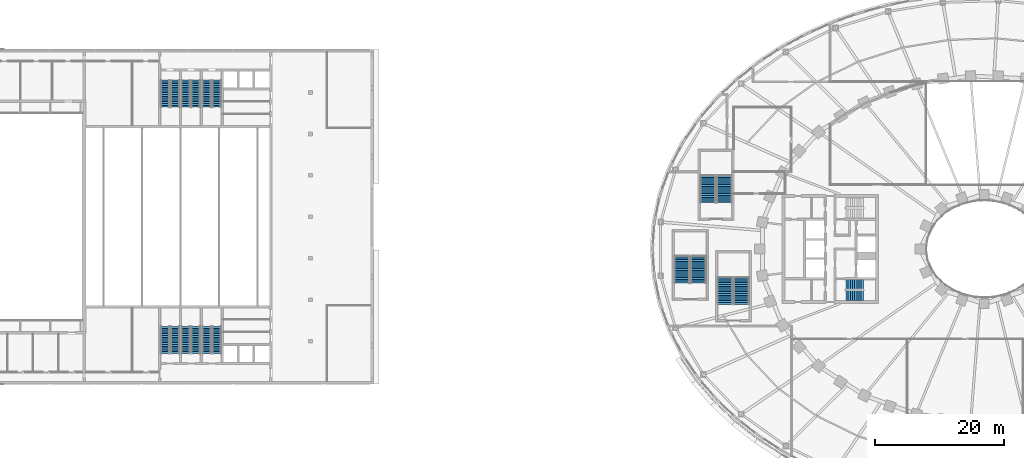
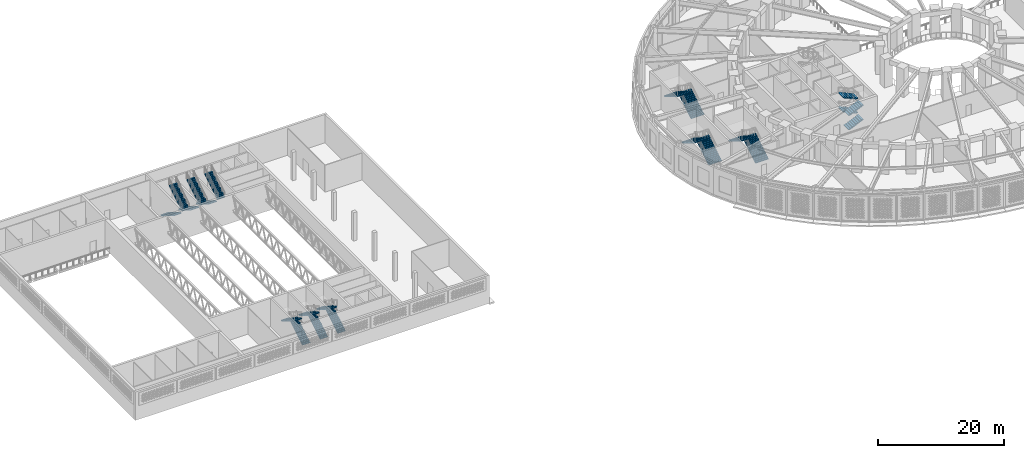
# One storey, part 22 of 69: 22 stair flights, 10 elements without a shape of their own.
"""IFC4 building model written with IfcOpenShell, lengths in metres."""

from ifc_helpers import new_model, si_unit, direction, frame, origin, place, context, subcontext, project, spatial, polyline, outline, extrude, material, type_object, element, aggregate, save


model = new_model("IFC4")

# Units and contexts
model_context = context("Model", 3, precision=1e-05, world=origin(), true_north=direction((0.0, 1.0)))
body_context = subcontext(model_context, "Body", "Model", "MODEL_VIEW")
ifc_project = project(units=[si_unit("LENGTHUNIT", "METRE"), si_unit("AREAUNIT", "SQUARE_METRE"), si_unit("VOLUMEUNIT", "CUBIC_METRE"), si_unit("PLANEANGLEUNIT", "RADIAN"), si_unit("MASSUNIT", "GRAM", prefix="KILO")], contexts=[model_context])

# Site, building, storey
site_placement = place(None, origin())
site = spatial("IfcSite", under=ifc_project, at=site_placement, CompositionType="ELEMENT")
building_placement = place(site_placement, origin())
building = spatial("IfcBuilding", under=site, at=building_placement, Name="Noorbagh Ring Tower", CompositionType="ELEMENT")
storey_placement = place(building_placement, frame((0.0, 0.0, 19.5)))
storey = spatial("IfcBuildingStorey", under=building, at=storey_placement, Name="L03", CompositionType="ELEMENT", Elevation=19.5)

# Stair, stair flights
ifc_material_1 = material(Name="Concrete C40/50", Category="concrete")
stair_type_1 = type_object("IfcStairType", Name="CORE-STAIR", PredefinedType="HALF_TURN_STAIR", material=ifc_material_1)
stair_1_placement = place(storey_placement, origin())
stair_1 = element("IfcStair", 1, at=stair_1_placement, inside=storey, type_object=stair_type_1, Name="L03 Exit stair ST2", PredefinedType="HALF_TURN_STAIR")
ifc_material_2 = material(Name="Concrete C40/50", Category="concrete")
stair_flight_type_1 = type_object("IfcStairFlightType", Name="CORE-STAIR-FLIGHT", PredefinedType="STRAIGHT", material=ifc_material_2)
stair_flight_1_placement = place(storey_placement, frame((-21.530029296875, -7.22509765625, 0.0), z_axis=(0.0, 0.0, 1.0), x_axis=(1.0, 0.0, 0.0)))
stair_flight_1 = element("IfcStairFlight", 2, at=stair_flight_1_placement, type_object=stair_flight_type_1, Name="ST2 flight 1", NumberOfRisers=9, NumberOfTreads=8, PredefinedType="STRAIGHT", RiserHeight=0.152777778, TreadLength=0.34, context=body_context, shape_type="SweptSolid", body=[
    extrude(outline(polyline([(0.0, 0.0), (0.0, 0.15283203125), (0.340087890625, 0.15283203125), (0.340087890625, 0.3056640625), (0.679931640625, 0.3056640625), (0.679931640625, 0.458251953125), (1.02001953125, 0.458251953125), (1.02001953125, 0.611083984375), (1.360107421875, 0.611083984375), (1.360107421875, 0.763916015625), (1.699951171875, 0.763916015625), (1.699951171875, 0.916748046875), (2.0400390625, 0.916748046875), (2.0400390625, 1.0693359375), (2.3798828125, 1.0693359375), (2.3798828125, 1.22216796875), (2.719970703125, 1.22216796875), (2.719970703125, 1.375), (2.719970703125, 1.057861328125), (0.36572265625, 0.0), (0.0, 0.0)])), frame((0.0, 0.77490234375, 0.0), z_axis=(0.0, -1.0, 0.0), x_axis=(1.0, 0.0, 0.0)), (0.0, 0.0, 1.0), 1.550048828125),
])
stair_flight_2_placement = place(storey_placement, frame((-18.81005859375, -5.52490234375, 1.375), z_axis=(0.0, 0.0, 1.0), x_axis=(-1.0, 0.0, 0.0)))
stair_flight_2 = element("IfcStairFlight", 3, at=stair_flight_2_placement, type_object=stair_flight_type_1, Name="ST2 flight 2", NumberOfRisers=9, NumberOfTreads=8, PredefinedType="STRAIGHT", RiserHeight=0.152777778, TreadLength=0.34, context=body_context, shape_type="SweptSolid", body=[
    extrude(outline(polyline([(0.0, 0.0), (0.0, 0.15283203125), (0.340087890625, 0.15283203125), (0.340087890625, 0.3056640625), (0.679931640625, 0.3056640625), (0.679931640625, 0.458251953125), (1.02001953125, 0.458251953125), (1.02001953125, 0.611083984375), (1.360107421875, 0.611083984375), (1.360107421875, 0.763916015625), (1.699951171875, 0.763916015625), (1.699951171875, 0.916748046875), (2.0400390625, 0.916748046875), (2.0400390625, 1.0693359375), (2.3798828125, 1.0693359375), (2.3798828125, 1.22216796875), (2.719970703125, 1.22216796875), (2.719970703125, 1.375), (2.719970703125, 1.057861328125), (0.36572265625, 0.0), (0.0, 0.0)])), frame((0.0, 0.77490234375, 0.0), z_axis=(0.0, -1.0, 0.0), x_axis=(1.0, 0.0, 0.0)), (0.0, 0.0, 1.0), 1.550048828125),
])
stair_flight_3_placement = place(storey_placement, frame((-21.530029296875, -7.22509765625, 2.75), z_axis=(0.0, 0.0, 1.0), x_axis=(1.0, 0.0, 0.0)))
stair_flight_3 = element("IfcStairFlight", 4, at=stair_flight_3_placement, type_object=stair_flight_type_1, Name="ST2 flight 3", NumberOfRisers=9, NumberOfTreads=8, PredefinedType="STRAIGHT", RiserHeight=0.152777778, TreadLength=0.34, context=body_context, shape_type="SweptSolid", body=[
    extrude(outline(polyline([(0.0, 0.0), (0.0, 0.15283203125), (0.340087890625, 0.15283203125), (0.340087890625, 0.3056640625), (0.679931640625, 0.3056640625), (0.679931640625, 0.458251953125), (1.02001953125, 0.458251953125), (1.02001953125, 0.611083984375), (1.360107421875, 0.611083984375), (1.360107421875, 0.763916015625), (1.699951171875, 0.763916015625), (1.699951171875, 0.916748046875), (2.0400390625, 0.916748046875), (2.0400390625, 1.0693359375), (2.3798828125, 1.0693359375), (2.3798828125, 1.22216796875), (2.719970703125, 1.22216796875), (2.719970703125, 1.375), (2.719970703125, 1.057861328125), (0.36572265625, 0.0), (0.0, 0.0)])), frame((0.0, 0.77490234375, 0.0), z_axis=(0.0, -1.0, 0.0), x_axis=(1.0, 0.0, 0.0)), (0.0, 0.0, 1.0), 1.550048828125),
])
stair_flight_4_placement = place(storey_placement, frame((-18.81005859375, -5.52490234375, 4.125), z_axis=(0.0, 0.0, 1.0), x_axis=(-1.0, 0.0, 0.0)))
stair_flight_4 = element("IfcStairFlight", 5, at=stair_flight_4_placement, type_object=stair_flight_type_1, Name="ST2 flight 4", NumberOfRisers=9, NumberOfTreads=8, PredefinedType="STRAIGHT", RiserHeight=0.152777778, TreadLength=0.34, context=body_context, shape_type="SweptSolid", body=[
    extrude(outline(polyline([(0.0, 0.0), (0.0, 0.15283203125), (0.340087890625, 0.15283203125), (0.340087890625, 0.3056640625), (0.679931640625, 0.3056640625), (0.679931640625, 0.458251953125), (1.02001953125, 0.458251953125), (1.02001953125, 0.611083984375), (1.360107421875, 0.611083984375), (1.360107421875, 0.763916015625), (1.699951171875, 0.763916015625), (1.699951171875, 0.916748046875), (2.0400390625, 0.916748046875), (2.0400390625, 1.0693359375), (2.3798828125, 1.0693359375), (2.3798828125, 1.22216796875), (2.719970703125, 1.22216796875), (2.719970703125, 1.375), (2.719970703125, 1.057861328125), (0.36572265625, 0.0), (0.0, 0.0)])), frame((0.0, 0.77490234375, 0.0), z_axis=(0.0, -1.0, 0.0), x_axis=(1.0, 0.0, 0.0)), (0.0, 0.0, 1.0), 1.550048828125),
])
aggregate(stair_1, [stair_flight_1, stair_flight_2, stair_flight_3, stair_flight_4])

ifc_material_3 = material(Name="Concrete C40/50", Category="concrete")
stair_type_2 = type_object("IfcStairType", Name="GND-STAIR", PredefinedType="HALF_TURN_STAIR", material=ifc_material_3)
stair_2_placement = place(storey_placement, origin())
stair_2 = element("IfcStair", 6, at=stair_2_placement, inside=storey, type_object=stair_type_2, Name="L03 exit stair ST-P1", PredefinedType="HALF_TURN_STAIR")
ifc_material_4 = material(Name="Concrete C40/50", Category="concrete")
stair_flight_type_2 = type_object("IfcStairFlightType", Name="GND-STAIR-FLIGHT", PredefinedType="STRAIGHT", material=ifc_material_4)
stair_flight_5_placement = place(storey_placement, frame((-37.75, -8.60009765625, 0.0), z_axis=(0.0, 0.0, 1.0), x_axis=(0.0, 1.0, 0.0)))
stair_flight_5 = element("IfcStairFlight", 7, at=stair_flight_5_placement, type_object=stair_flight_type_2, Name="ST-P1 flight 1", NumberOfRisers=16, NumberOfTreads=15, PredefinedType="STRAIGHT", RiserHeight=0.171875, TreadLength=0.28, context=body_context, shape_type="SweptSolid", body=[
    extrude(outline(polyline([(0.0, 0.0), (0.0, 0.171875), (0.280029296875, 0.171875), (0.280029296875, 0.34375), (0.56005859375, 0.34375), (0.56005859375, 0.515625), (0.840087890625, 0.515625), (0.840087890625, 0.6875), (1.1201171875, 0.6875), (1.1201171875, 0.859375), (1.39990234375, 0.859375), (1.39990234375, 1.03125), (1.679931640625, 1.03125), (1.679931640625, 1.203125), (1.9599609375, 1.203125), (1.9599609375, 1.375), (2.239990234375, 1.375), (2.239990234375, 1.546875), (2.52001953125, 1.546875), (2.52001953125, 1.71875), (2.800048828125, 1.71875), (2.800048828125, 1.890625), (3.080078125, 1.890625), (3.080078125, 2.0625), (3.360107421875, 2.0625), (3.360107421875, 2.234375), (3.639892578125, 2.234375), (3.639892578125, 2.40625), (3.919921875, 2.40625), (3.919921875, 2.578125), (4.199951171875, 2.578125), (4.199951171875, 2.75), (4.199951171875, 2.40234375), (0.28662109375, 0.0), (0.0, 0.0)])), frame((0.0, 1.199951171875, 0.0), z_axis=(0.0, -1.0, 0.0), x_axis=(1.0, 0.0, 0.0)), (0.0, 0.0, 1.0), 2.39990234375),
])
stair_flight_6_placement = place(storey_placement, frame((-40.300048828125, -4.39990234375, 2.75), z_axis=(0.0, 0.0, 1.0), x_axis=(0.0, -1.0, 0.0)))
stair_flight_6 = element("IfcStairFlight", 8, at=stair_flight_6_placement, type_object=stair_flight_type_2, Name="ST-P1 flight 2", NumberOfRisers=16, NumberOfTreads=15, PredefinedType="STRAIGHT", RiserHeight=0.171875, TreadLength=0.28, context=body_context, shape_type="SweptSolid", body=[
    extrude(outline(polyline([(0.0, 0.0), (0.0, 0.171875), (0.280029296875, 0.171875), (0.280029296875, 0.34375), (0.56005859375, 0.34375), (0.56005859375, 0.515625), (0.840087890625, 0.515625), (0.840087890625, 0.6875), (1.1201171875, 0.6875), (1.1201171875, 0.859375), (1.39990234375, 0.859375), (1.39990234375, 1.03125), (1.679931640625, 1.03125), (1.679931640625, 1.203125), (1.9599609375, 1.203125), (1.9599609375, 1.375), (2.239990234375, 1.375), (2.239990234375, 1.546875), (2.52001953125, 1.546875), (2.52001953125, 1.71875), (2.800048828125, 1.71875), (2.800048828125, 1.890625), (3.080078125, 1.890625), (3.080078125, 2.0625), (3.360107421875, 2.0625), (3.360107421875, 2.234375), (3.639892578125, 2.234375), (3.639892578125, 2.40625), (3.919921875, 2.40625), (3.919921875, 2.578125), (4.199951171875, 2.578125), (4.199951171875, 2.75), (4.199951171875, 2.40234375), (0.28662109375, 0.0), (0.0, 0.0)])), frame((0.0, 1.199951171875, 0.0), z_axis=(0.0, -1.0, 0.0), x_axis=(1.0, 0.0, 0.0)), (0.0, 0.0, 1.0), 2.39990234375),
])
aggregate(stair_2, [stair_flight_5, stair_flight_6])

stair_3_placement = place(storey_placement, origin())
stair_3 = element("IfcStair", 9, at=stair_3_placement, inside=storey, type_object=stair_type_2, Name="L03 exit stair ST-P3", PredefinedType="HALF_TURN_STAIR")
stair_flight_7_placement = place(storey_placement, frame((-44.449951171875, -5.300048828125, 0.0), z_axis=(0.0, 0.0, 1.0), x_axis=(0.0, 1.0, 0.0)))
stair_flight_7 = element("IfcStairFlight", 10, at=stair_flight_7_placement, type_object=stair_flight_type_2, Name="ST-P3 flight 1", NumberOfRisers=16, NumberOfTreads=15, PredefinedType="STRAIGHT", RiserHeight=0.171875, TreadLength=0.28, context=body_context, shape_type="SweptSolid", body=[
    extrude(outline(polyline([(0.0, 0.0), (0.0, 0.171875), (0.280029296875, 0.171875), (0.280029296875, 0.34375), (0.56005859375, 0.34375), (0.56005859375, 0.515625), (0.840087890625, 0.515625), (0.840087890625, 0.6875), (1.1201171875, 0.6875), (1.1201171875, 0.859375), (1.39990234375, 0.859375), (1.39990234375, 1.03125), (1.679931640625, 1.03125), (1.679931640625, 1.203125), (1.9599609375, 1.203125), (1.9599609375, 1.375), (2.239990234375, 1.375), (2.239990234375, 1.546875), (2.52001953125, 1.546875), (2.52001953125, 1.71875), (2.800048828125, 1.71875), (2.800048828125, 1.890625), (3.080078125, 1.890625), (3.080078125, 2.0625), (3.360107421875, 2.0625), (3.360107421875, 2.234375), (3.639892578125, 2.234375), (3.639892578125, 2.40625), (3.919921875, 2.40625), (3.919921875, 2.578125), (4.199951171875, 2.578125), (4.199951171875, 2.75), (4.199951171875, 2.40234375), (0.28662109375, 0.0), (0.0, 0.0)])), frame((0.0, 1.199951171875, 0.0), z_axis=(0.0, -1.0, 0.0), x_axis=(1.0, 0.0, 0.0)), (0.0, 0.0, 1.0), 2.39990234375),
])
stair_flight_8_placement = place(storey_placement, frame((-47.0, -1.10009765625, 2.75), z_axis=(0.0, 0.0, 1.0), x_axis=(0.0, -1.0, 0.0)))
stair_flight_8 = element("IfcStairFlight", 11, at=stair_flight_8_placement, type_object=stair_flight_type_2, Name="ST-P3 flight 2", NumberOfRisers=16, NumberOfTreads=15, PredefinedType="STRAIGHT", RiserHeight=0.171875, TreadLength=0.28, context=body_context, shape_type="SweptSolid", body=[
    extrude(outline(polyline([(0.0, 0.0), (0.0, 0.171875), (0.280029296875, 0.171875), (0.280029296875, 0.34375), (0.56005859375, 0.34375), (0.56005859375, 0.515625), (0.840087890625, 0.515625), (0.840087890625, 0.6875), (1.1201171875, 0.6875), (1.1201171875, 0.859375), (1.39990234375, 0.859375), (1.39990234375, 1.03125), (1.679931640625, 1.03125), (1.679931640625, 1.203125), (1.9599609375, 1.203125), (1.9599609375, 1.375), (2.239990234375, 1.375), (2.239990234375, 1.546875), (2.52001953125, 1.546875), (2.52001953125, 1.71875), (2.800048828125, 1.71875), (2.800048828125, 1.890625), (3.080078125, 1.890625), (3.080078125, 2.0625), (3.360107421875, 2.0625), (3.360107421875, 2.234375), (3.639892578125, 2.234375), (3.639892578125, 2.40625), (3.919921875, 2.40625), (3.919921875, 2.578125), (4.199951171875, 2.578125), (4.199951171875, 2.75), (4.199951171875, 2.40234375), (0.28662109375, 0.0), (0.0, 0.0)])), frame((0.0, 1.199951171875, 0.0), z_axis=(0.0, -1.0, 0.0), x_axis=(1.0, 0.0, 0.0)), (0.0, 0.0, 1.0), 2.39990234375),
])
aggregate(stair_3, [stair_flight_7, stair_flight_8])

stair_4_placement = place(storey_placement, origin())
stair_4 = element("IfcStair", 12, at=stair_4_placement, inside=storey, type_object=stair_type_2, Name="L03 exit stair ST-P7", PredefinedType="HALF_TURN_STAIR")
stair_flight_9_placement = place(storey_placement, frame((-40.449951171875, 7.199951171875, 0.0), z_axis=(0.0, 0.0, 1.0), x_axis=(0.0, 1.0, 0.0)))
stair_flight_9 = element("IfcStairFlight", 13, at=stair_flight_9_placement, type_object=stair_flight_type_2, Name="ST-P7 flight 1", NumberOfRisers=16, NumberOfTreads=15, PredefinedType="STRAIGHT", RiserHeight=0.171875, TreadLength=0.28, context=body_context, shape_type="SweptSolid", body=[
    extrude(outline(polyline([(0.0, 0.0), (0.0, 0.171875), (0.280029296875, 0.171875), (0.280029296875, 0.34375), (0.56005859375, 0.34375), (0.56005859375, 0.515625), (0.840087890625, 0.515625), (0.840087890625, 0.6875), (1.1201171875, 0.6875), (1.1201171875, 0.859375), (1.39990234375, 0.859375), (1.39990234375, 1.03125), (1.679931640625, 1.03125), (1.679931640625, 1.203125), (1.9599609375, 1.203125), (1.9599609375, 1.375), (2.239990234375, 1.375), (2.239990234375, 1.546875), (2.52001953125, 1.546875), (2.52001953125, 1.71875), (2.800048828125, 1.71875), (2.800048828125, 1.890625), (3.080078125, 1.890625), (3.080078125, 2.0625), (3.360107421875, 2.0625), (3.360107421875, 2.234375), (3.639892578125, 2.234375), (3.639892578125, 2.40625), (3.919921875, 2.40625), (3.919921875, 2.578125), (4.199951171875, 2.578125), (4.199951171875, 2.75), (4.199951171875, 2.40234375), (0.28662109375, 0.0), (0.0, 0.0)])), frame((0.0, 1.199951171875, 0.0), z_axis=(0.0, -1.0, 0.0), x_axis=(1.0, 0.0, 0.0)), (0.0, 0.0, 1.0), 2.39990234375),
])
stair_flight_10_placement = place(storey_placement, frame((-43.0, 11.39990234375, 2.75), z_axis=(0.0, 0.0, 1.0), x_axis=(0.0, -1.0, 0.0)))
stair_flight_10 = element("IfcStairFlight", 14, at=stair_flight_10_placement, type_object=stair_flight_type_2, Name="ST-P7 flight 2", NumberOfRisers=16, NumberOfTreads=15, PredefinedType="STRAIGHT", RiserHeight=0.171875, TreadLength=0.28, context=body_context, shape_type="SweptSolid", body=[
    extrude(outline(polyline([(0.0, 0.0), (0.0, 0.171875), (0.280029296875, 0.171875), (0.280029296875, 0.34375), (0.56005859375, 0.34375), (0.56005859375, 0.515625), (0.840087890625, 0.515625), (0.840087890625, 0.6875), (1.1201171875, 0.6875), (1.1201171875, 0.859375), (1.39990234375, 0.859375), (1.39990234375, 1.03125), (1.679931640625, 1.03125), (1.679931640625, 1.203125), (1.9599609375, 1.203125), (1.9599609375, 1.375), (2.239990234375, 1.375), (2.239990234375, 1.546875), (2.52001953125, 1.546875), (2.52001953125, 1.71875), (2.800048828125, 1.71875), (2.800048828125, 1.890625), (3.080078125, 1.890625), (3.080078125, 2.0625), (3.360107421875, 2.0625), (3.360107421875, 2.234375), (3.639892578125, 2.234375), (3.639892578125, 2.40625), (3.919921875, 2.40625), (3.919921875, 2.578125), (4.199951171875, 2.578125), (4.199951171875, 2.75), (4.199951171875, 2.40234375), (0.28662109375, 0.0), (0.0, 0.0)])), frame((0.0, 1.199951171875, 0.0), z_axis=(0.0, -1.0, 0.0), x_axis=(1.0, 0.0, 0.0)), (0.0, 0.0, 1.0), 2.39990234375),
])
aggregate(stair_4, [stair_flight_9, stair_flight_10])

ifc_material_5 = material(Name="Concrete C40/50", Category="concrete")
stair_type_3 = type_object("IfcStairType", Name="TH-STAIR", PredefinedType="HALF_TURN_STAIR", material=ifc_material_5)
stair_5_placement = place(storey_placement, origin())
stair_5 = element("IfcStair", 15, at=stair_5_placement, inside=storey, type_object=stair_type_3, Name="L03 Exit stair S1", PredefinedType="HALF_TURN_STAIR")
ifc_material_6 = material(Name="Concrete C40/50", Category="concrete")
stair_flight_type_3 = type_object("IfcStairFlightType", Name="TH-STAIR-FLIGHT", PredefinedType="STRAIGHT", material=ifc_material_6)
stair_flight_11_placement = place(storey_placement, frame((-122.60009765625, -16.25, 0.0), z_axis=(0.0, 0.0, 1.0), x_axis=(0.0, 1.0, 0.0)))
stair_flight_11 = element("IfcStairFlight", 16, at=stair_flight_11_placement, type_object=stair_flight_type_3, Name="TSS1 flight 1", NumberOfRisers=16, NumberOfTreads=15, PredefinedType="STRAIGHT", RiserHeight=0.171875, TreadLength=0.28, context=body_context, shape_type="SweptSolid", body=[
    extrude(outline(polyline([(0.0, 0.0), (0.0, 0.171875), (0.280029296875, 0.171875), (0.280029296875, 0.34375), (0.56005859375, 0.34375), (0.56005859375, 0.515625), (0.840087890625, 0.515625), (0.840087890625, 0.6875), (1.1201171875, 0.6875), (1.1201171875, 0.859375), (1.39990234375, 0.859375), (1.39990234375, 1.03125), (1.679931640625, 1.03125), (1.679931640625, 1.203125), (1.9599609375, 1.203125), (1.9599609375, 1.375), (2.239990234375, 1.375), (2.239990234375, 1.546875), (2.52001953125, 1.546875), (2.52001953125, 1.71875), (2.800048828125, 1.71875), (2.800048828125, 1.890625), (3.080078125, 1.890625), (3.080078125, 2.0625), (3.360107421875, 2.0625), (3.360107421875, 2.234375), (3.639892578125, 2.234375), (3.639892578125, 2.40625), (3.919921875, 2.40625), (3.919921875, 2.578125), (4.199951171875, 2.578125), (4.199951171875, 2.75), (4.199951171875, 2.40234375), (0.28662109375, 0.0), (0.0, 0.0)])), frame((0.0, 0.699951171875, 0.0), z_axis=(0.0, -1.0, 0.0), x_axis=(1.0, 0.0, 0.0)), (0.0, 0.0, 1.0), 1.39990234375),
])
stair_flight_12_placement = place(storey_placement, frame((-124.14990234375, -12.050048828125, 2.75), z_axis=(0.0, 0.0, 1.0), x_axis=(0.0, -1.0, 0.0)))
stair_flight_12 = element("IfcStairFlight", 17, at=stair_flight_12_placement, type_object=stair_flight_type_3, Name="TSS1 flight 2", NumberOfRisers=16, NumberOfTreads=15, PredefinedType="STRAIGHT", RiserHeight=0.171875, TreadLength=0.28, context=body_context, shape_type="SweptSolid", body=[
    extrude(outline(polyline([(0.0, 0.0), (0.0, 0.171875), (0.280029296875, 0.171875), (0.280029296875, 0.34375), (0.56005859375, 0.34375), (0.56005859375, 0.515625), (0.840087890625, 0.515625), (0.840087890625, 0.6875), (1.1201171875, 0.6875), (1.1201171875, 0.859375), (1.39990234375, 0.859375), (1.39990234375, 1.03125), (1.679931640625, 1.03125), (1.679931640625, 1.203125), (1.9599609375, 1.203125), (1.9599609375, 1.375), (2.239990234375, 1.375), (2.239990234375, 1.546875), (2.52001953125, 1.546875), (2.52001953125, 1.71875), (2.800048828125, 1.71875), (2.800048828125, 1.890625), (3.080078125, 1.890625), (3.080078125, 2.0625), (3.360107421875, 2.0625), (3.360107421875, 2.234375), (3.639892578125, 2.234375), (3.639892578125, 2.40625), (3.919921875, 2.40625), (3.919921875, 2.578125), (4.199951171875, 2.578125), (4.199951171875, 2.75), (4.199951171875, 2.40234375), (0.28662109375, 0.0), (0.0, 0.0)])), frame((0.0, 0.699951171875, 0.0), z_axis=(0.0, -1.0, 0.0), x_axis=(1.0, 0.0, 0.0)), (0.0, 0.0, 1.0), 1.39990234375),
])
aggregate(stair_5, [stair_flight_11, stair_flight_12])

stair_6_placement = place(storey_placement, origin())
stair_6 = element("IfcStair", 18, at=stair_6_placement, inside=storey, type_object=stair_type_3, Name="L03 Exit stair S2", PredefinedType="HALF_TURN_STAIR")
stair_flight_13_placement = place(storey_placement, frame((-119.35009765625, -16.25, 0.0), z_axis=(0.0, 0.0, 1.0), x_axis=(0.0, 1.0, 0.0)))
stair_flight_13 = element("IfcStairFlight", 19, at=stair_flight_13_placement, type_object=stair_flight_type_3, Name="TSS2 flight 1", NumberOfRisers=16, NumberOfTreads=15, PredefinedType="STRAIGHT", RiserHeight=0.171875, TreadLength=0.28, context=body_context, shape_type="SweptSolid", body=[
    extrude(outline(polyline([(0.0, 0.0), (0.0, 0.171875), (0.280029296875, 0.171875), (0.280029296875, 0.34375), (0.56005859375, 0.34375), (0.56005859375, 0.515625), (0.840087890625, 0.515625), (0.840087890625, 0.6875), (1.1201171875, 0.6875), (1.1201171875, 0.859375), (1.39990234375, 0.859375), (1.39990234375, 1.03125), (1.679931640625, 1.03125), (1.679931640625, 1.203125), (1.9599609375, 1.203125), (1.9599609375, 1.375), (2.239990234375, 1.375), (2.239990234375, 1.546875), (2.52001953125, 1.546875), (2.52001953125, 1.71875), (2.800048828125, 1.71875), (2.800048828125, 1.890625), (3.080078125, 1.890625), (3.080078125, 2.0625), (3.360107421875, 2.0625), (3.360107421875, 2.234375), (3.639892578125, 2.234375), (3.639892578125, 2.40625), (3.919921875, 2.40625), (3.919921875, 2.578125), (4.199951171875, 2.578125), (4.199951171875, 2.75), (4.199951171875, 2.40234375), (0.28662109375, 0.0), (0.0, 0.0)])), frame((0.0, 0.699951171875, 0.0), z_axis=(0.0, -1.0, 0.0), x_axis=(1.0, 0.0, 0.0)), (0.0, 0.0, 1.0), 1.39990234375),
])
stair_flight_14_placement = place(storey_placement, frame((-120.89990234375, -12.050048828125, 2.75), z_axis=(0.0, 0.0, 1.0), x_axis=(0.0, -1.0, 0.0)))
stair_flight_14 = element("IfcStairFlight", 20, at=stair_flight_14_placement, type_object=stair_flight_type_3, Name="TSS2 flight 2", NumberOfRisers=16, NumberOfTreads=15, PredefinedType="STRAIGHT", RiserHeight=0.171875, TreadLength=0.28, context=body_context, shape_type="SweptSolid", body=[
    extrude(outline(polyline([(0.0, 0.0), (0.0, 0.171875), (0.280029296875, 0.171875), (0.280029296875, 0.34375), (0.56005859375, 0.34375), (0.56005859375, 0.515625), (0.840087890625, 0.515625), (0.840087890625, 0.6875), (1.1201171875, 0.6875), (1.1201171875, 0.859375), (1.39990234375, 0.859375), (1.39990234375, 1.03125), (1.679931640625, 1.03125), (1.679931640625, 1.203125), (1.9599609375, 1.203125), (1.9599609375, 1.375), (2.239990234375, 1.375), (2.239990234375, 1.546875), (2.52001953125, 1.546875), (2.52001953125, 1.71875), (2.800048828125, 1.71875), (2.800048828125, 1.890625), (3.080078125, 1.890625), (3.080078125, 2.0625), (3.360107421875, 2.0625), (3.360107421875, 2.234375), (3.639892578125, 2.234375), (3.639892578125, 2.40625), (3.919921875, 2.40625), (3.919921875, 2.578125), (4.199951171875, 2.578125), (4.199951171875, 2.75), (4.199951171875, 2.40234375), (0.28662109375, 0.0), (0.0, 0.0)])), frame((0.0, 0.699951171875, 0.0), z_axis=(0.0, -1.0, 0.0), x_axis=(1.0, 0.0, 0.0)), (0.0, 0.0, 1.0), 1.39990234375),
])
aggregate(stair_6, [stair_flight_13, stair_flight_14])

stair_7_placement = place(storey_placement, origin())
stair_7 = element("IfcStair", 21, at=stair_7_placement, inside=storey, type_object=stair_type_3, Name="L03 Exit stair S3", PredefinedType="HALF_TURN_STAIR")
stair_flight_15_placement = place(storey_placement, frame((-125.85009765625, -16.25, 0.0), z_axis=(0.0, 0.0, 1.0), x_axis=(0.0, 1.0, 0.0)))
stair_flight_15 = element("IfcStairFlight", 22, at=stair_flight_15_placement, type_object=stair_flight_type_3, Name="TSS3 flight 1", NumberOfRisers=16, NumberOfTreads=15, PredefinedType="STRAIGHT", RiserHeight=0.171875, TreadLength=0.28, context=body_context, shape_type="SweptSolid", body=[
    extrude(outline(polyline([(0.0, 0.0), (0.0, 0.171875), (0.280029296875, 0.171875), (0.280029296875, 0.34375), (0.56005859375, 0.34375), (0.56005859375, 0.515625), (0.840087890625, 0.515625), (0.840087890625, 0.6875), (1.1201171875, 0.6875), (1.1201171875, 0.859375), (1.39990234375, 0.859375), (1.39990234375, 1.03125), (1.679931640625, 1.03125), (1.679931640625, 1.203125), (1.9599609375, 1.203125), (1.9599609375, 1.375), (2.239990234375, 1.375), (2.239990234375, 1.546875), (2.52001953125, 1.546875), (2.52001953125, 1.71875), (2.800048828125, 1.71875), (2.800048828125, 1.890625), (3.080078125, 1.890625), (3.080078125, 2.0625), (3.360107421875, 2.0625), (3.360107421875, 2.234375), (3.639892578125, 2.234375), (3.639892578125, 2.40625), (3.919921875, 2.40625), (3.919921875, 2.578125), (4.199951171875, 2.578125), (4.199951171875, 2.75), (4.199951171875, 2.40234375), (0.28662109375, 0.0), (0.0, 0.0)])), frame((0.0, 0.699951171875, 0.0), z_axis=(0.0, -1.0, 0.0), x_axis=(1.0, 0.0, 0.0)), (0.0, 0.0, 1.0), 1.39990234375),
])
stair_flight_16_placement = place(storey_placement, frame((-127.39990234375, -12.050048828125, 2.75), z_axis=(0.0, 0.0, 1.0), x_axis=(0.0, -1.0, 0.0)))
stair_flight_16 = element("IfcStairFlight", 23, at=stair_flight_16_placement, type_object=stair_flight_type_3, Name="TSS3 flight 2", NumberOfRisers=16, NumberOfTreads=15, PredefinedType="STRAIGHT", RiserHeight=0.171875, TreadLength=0.28, context=body_context, shape_type="SweptSolid", body=[
    extrude(outline(polyline([(0.0, 0.0), (0.0, 0.171875), (0.280029296875, 0.171875), (0.280029296875, 0.34375), (0.56005859375, 0.34375), (0.56005859375, 0.515625), (0.840087890625, 0.515625), (0.840087890625, 0.6875), (1.1201171875, 0.6875), (1.1201171875, 0.859375), (1.39990234375, 0.859375), (1.39990234375, 1.03125), (1.679931640625, 1.03125), (1.679931640625, 1.203125), (1.9599609375, 1.203125), (1.9599609375, 1.375), (2.239990234375, 1.375), (2.239990234375, 1.546875), (2.52001953125, 1.546875), (2.52001953125, 1.71875), (2.800048828125, 1.71875), (2.800048828125, 1.890625), (3.080078125, 1.890625), (3.080078125, 2.0625), (3.360107421875, 2.0625), (3.360107421875, 2.234375), (3.639892578125, 2.234375), (3.639892578125, 2.40625), (3.919921875, 2.40625), (3.919921875, 2.578125), (4.199951171875, 2.578125), (4.199951171875, 2.75), (4.199951171875, 2.40234375), (0.28662109375, 0.0), (0.0, 0.0)])), frame((0.0, 0.699951171875, 0.0), z_axis=(0.0, -1.0, 0.0), x_axis=(1.0, 0.0, 0.0)), (0.0, 0.0, 1.0), 1.39990234375),
])
aggregate(stair_7, [stair_flight_15, stair_flight_16])

stair_8_placement = place(storey_placement, origin())
stair_8 = element("IfcStair", 24, at=stair_8_placement, inside=storey, type_object=stair_type_3, Name="L03 Exit stair N1", PredefinedType="HALF_TURN_STAIR")
stair_flight_17_placement = place(storey_placement, frame((-124.14990234375, 26.25, 0.0), z_axis=(0.0, 0.0, 1.0), x_axis=(0.0, -1.0, 0.0)))
stair_flight_17 = element("IfcStairFlight", 25, at=stair_flight_17_placement, type_object=stair_flight_type_3, Name="TSN1 flight 1", NumberOfRisers=16, NumberOfTreads=15, PredefinedType="STRAIGHT", RiserHeight=0.171875, TreadLength=0.28, context=body_context, shape_type="SweptSolid", body=[
    extrude(outline(polyline([(0.0, 0.0), (0.0, 0.171875), (0.280029296875, 0.171875), (0.280029296875, 0.34375), (0.56005859375, 0.34375), (0.56005859375, 0.515625), (0.840087890625, 0.515625), (0.840087890625, 0.6875), (1.1201171875, 0.6875), (1.1201171875, 0.859375), (1.39990234375, 0.859375), (1.39990234375, 1.03125), (1.679931640625, 1.03125), (1.679931640625, 1.203125), (1.9599609375, 1.203125), (1.9599609375, 1.375), (2.239990234375, 1.375), (2.239990234375, 1.546875), (2.52001953125, 1.546875), (2.52001953125, 1.71875), (2.800048828125, 1.71875), (2.800048828125, 1.890625), (3.080078125, 1.890625), (3.080078125, 2.0625), (3.360107421875, 2.0625), (3.360107421875, 2.234375), (3.639892578125, 2.234375), (3.639892578125, 2.40625), (3.919921875, 2.40625), (3.919921875, 2.578125), (4.199951171875, 2.578125), (4.199951171875, 2.75), (4.199951171875, 2.40234375), (0.28662109375, 0.0), (0.0, 0.0)])), frame((0.0, 0.699951171875, 0.0), z_axis=(0.0, -1.0, 0.0), x_axis=(1.0, 0.0, 0.0)), (0.0, 0.0, 1.0), 1.39990234375),
])
stair_flight_18_placement = place(storey_placement, frame((-122.60009765625, 22.050048828125, 2.75), z_axis=(0.0, 0.0, 1.0), x_axis=(0.0, 1.0, 0.0)))
stair_flight_18 = element("IfcStairFlight", 26, at=stair_flight_18_placement, type_object=stair_flight_type_3, Name="TSN1 flight 2", NumberOfRisers=16, NumberOfTreads=15, PredefinedType="STRAIGHT", RiserHeight=0.171875, TreadLength=0.28, context=body_context, shape_type="SweptSolid", body=[
    extrude(outline(polyline([(0.0, 0.0), (0.0, 0.171875), (0.280029296875, 0.171875), (0.280029296875, 0.34375), (0.56005859375, 0.34375), (0.56005859375, 0.515625), (0.840087890625, 0.515625), (0.840087890625, 0.6875), (1.1201171875, 0.6875), (1.1201171875, 0.859375), (1.39990234375, 0.859375), (1.39990234375, 1.03125), (1.679931640625, 1.03125), (1.679931640625, 1.203125), (1.9599609375, 1.203125), (1.9599609375, 1.375), (2.239990234375, 1.375), (2.239990234375, 1.546875), (2.52001953125, 1.546875), (2.52001953125, 1.71875), (2.800048828125, 1.71875), (2.800048828125, 1.890625), (3.080078125, 1.890625), (3.080078125, 2.0625), (3.360107421875, 2.0625), (3.360107421875, 2.234375), (3.639892578125, 2.234375), (3.639892578125, 2.40625), (3.919921875, 2.40625), (3.919921875, 2.578125), (4.199951171875, 2.578125), (4.199951171875, 2.75), (4.199951171875, 2.40234375), (0.28662109375, 0.0), (0.0, 0.0)])), frame((0.0, 0.699951171875, 0.0), z_axis=(0.0, -1.0, 0.0), x_axis=(1.0, 0.0, 0.0)), (0.0, 0.0, 1.0), 1.39990234375),
])
aggregate(stair_8, [stair_flight_17, stair_flight_18])

stair_9_placement = place(storey_placement, origin())
stair_9 = element("IfcStair", 27, at=stair_9_placement, inside=storey, type_object=stair_type_3, Name="L03 Exit stair N2", PredefinedType="HALF_TURN_STAIR")
stair_flight_19_placement = place(storey_placement, frame((-120.89990234375, 26.25, 0.0), z_axis=(0.0, 0.0, 1.0), x_axis=(0.0, -1.0, 0.0)))
stair_flight_19 = element("IfcStairFlight", 28, at=stair_flight_19_placement, type_object=stair_flight_type_3, Name="TSN2 flight 1", NumberOfRisers=16, NumberOfTreads=15, PredefinedType="STRAIGHT", RiserHeight=0.171875, TreadLength=0.28, context=body_context, shape_type="SweptSolid", body=[
    extrude(outline(polyline([(0.0, 0.0), (0.0, 0.171875), (0.280029296875, 0.171875), (0.280029296875, 0.34375), (0.56005859375, 0.34375), (0.56005859375, 0.515625), (0.840087890625, 0.515625), (0.840087890625, 0.6875), (1.1201171875, 0.6875), (1.1201171875, 0.859375), (1.39990234375, 0.859375), (1.39990234375, 1.03125), (1.679931640625, 1.03125), (1.679931640625, 1.203125), (1.9599609375, 1.203125), (1.9599609375, 1.375), (2.239990234375, 1.375), (2.239990234375, 1.546875), (2.52001953125, 1.546875), (2.52001953125, 1.71875), (2.800048828125, 1.71875), (2.800048828125, 1.890625), (3.080078125, 1.890625), (3.080078125, 2.0625), (3.360107421875, 2.0625), (3.360107421875, 2.234375), (3.639892578125, 2.234375), (3.639892578125, 2.40625), (3.919921875, 2.40625), (3.919921875, 2.578125), (4.199951171875, 2.578125), (4.199951171875, 2.75), (4.199951171875, 2.40234375), (0.28662109375, 0.0), (0.0, 0.0)])), frame((0.0, 0.699951171875, 0.0), z_axis=(0.0, -1.0, 0.0), x_axis=(1.0, 0.0, 0.0)), (0.0, 0.0, 1.0), 1.39990234375),
])
stair_flight_20_placement = place(storey_placement, frame((-119.35009765625, 22.050048828125, 2.75), z_axis=(0.0, 0.0, 1.0), x_axis=(0.0, 1.0, 0.0)))
stair_flight_20 = element("IfcStairFlight", 29, at=stair_flight_20_placement, type_object=stair_flight_type_3, Name="TSN2 flight 2", NumberOfRisers=16, NumberOfTreads=15, PredefinedType="STRAIGHT", RiserHeight=0.171875, TreadLength=0.28, context=body_context, shape_type="SweptSolid", body=[
    extrude(outline(polyline([(0.0, 0.0), (0.0, 0.171875), (0.280029296875, 0.171875), (0.280029296875, 0.34375), (0.56005859375, 0.34375), (0.56005859375, 0.515625), (0.840087890625, 0.515625), (0.840087890625, 0.6875), (1.1201171875, 0.6875), (1.1201171875, 0.859375), (1.39990234375, 0.859375), (1.39990234375, 1.03125), (1.679931640625, 1.03125), (1.679931640625, 1.203125), (1.9599609375, 1.203125), (1.9599609375, 1.375), (2.239990234375, 1.375), (2.239990234375, 1.546875), (2.52001953125, 1.546875), (2.52001953125, 1.71875), (2.800048828125, 1.71875), (2.800048828125, 1.890625), (3.080078125, 1.890625), (3.080078125, 2.0625), (3.360107421875, 2.0625), (3.360107421875, 2.234375), (3.639892578125, 2.234375), (3.639892578125, 2.40625), (3.919921875, 2.40625), (3.919921875, 2.578125), (4.199951171875, 2.578125), (4.199951171875, 2.75), (4.199951171875, 2.40234375), (0.28662109375, 0.0), (0.0, 0.0)])), frame((0.0, 0.699951171875, 0.0), z_axis=(0.0, -1.0, 0.0), x_axis=(1.0, 0.0, 0.0)), (0.0, 0.0, 1.0), 1.39990234375),
])
aggregate(stair_9, [stair_flight_19, stair_flight_20])

stair_10_placement = place(storey_placement, origin())
stair_10 = element("IfcStair", 30, at=stair_10_placement, inside=storey, type_object=stair_type_3, Name="L03 Exit stair N3", PredefinedType="HALF_TURN_STAIR")
stair_flight_21_placement = place(storey_placement, frame((-127.39990234375, 26.25, 0.0), z_axis=(0.0, 0.0, 1.0), x_axis=(0.0, -1.0, 0.0)))
stair_flight_21 = element("IfcStairFlight", 31, at=stair_flight_21_placement, type_object=stair_flight_type_3, Name="TSN3 flight 1", NumberOfRisers=16, NumberOfTreads=15, PredefinedType="STRAIGHT", RiserHeight=0.171875, TreadLength=0.28, context=body_context, shape_type="SweptSolid", body=[
    extrude(outline(polyline([(0.0, 0.0), (0.0, 0.171875), (0.280029296875, 0.171875), (0.280029296875, 0.34375), (0.56005859375, 0.34375), (0.56005859375, 0.515625), (0.840087890625, 0.515625), (0.840087890625, 0.6875), (1.1201171875, 0.6875), (1.1201171875, 0.859375), (1.39990234375, 0.859375), (1.39990234375, 1.03125), (1.679931640625, 1.03125), (1.679931640625, 1.203125), (1.9599609375, 1.203125), (1.9599609375, 1.375), (2.239990234375, 1.375), (2.239990234375, 1.546875), (2.52001953125, 1.546875), (2.52001953125, 1.71875), (2.800048828125, 1.71875), (2.800048828125, 1.890625), (3.080078125, 1.890625), (3.080078125, 2.0625), (3.360107421875, 2.0625), (3.360107421875, 2.234375), (3.639892578125, 2.234375), (3.639892578125, 2.40625), (3.919921875, 2.40625), (3.919921875, 2.578125), (4.199951171875, 2.578125), (4.199951171875, 2.75), (4.199951171875, 2.40234375), (0.28662109375, 0.0), (0.0, 0.0)])), frame((0.0, 0.699951171875, 0.0), z_axis=(0.0, -1.0, 0.0), x_axis=(1.0, 0.0, 0.0)), (0.0, 0.0, 1.0), 1.39990234375),
])
stair_flight_22_placement = place(storey_placement, frame((-125.85009765625, 22.050048828125, 2.75), z_axis=(0.0, 0.0, 1.0), x_axis=(0.0, 1.0, 0.0)))
stair_flight_22 = element("IfcStairFlight", 32, at=stair_flight_22_placement, type_object=stair_flight_type_3, Name="TSN3 flight 2", NumberOfRisers=16, NumberOfTreads=15, PredefinedType="STRAIGHT", RiserHeight=0.171875, TreadLength=0.28, context=body_context, shape_type="SweptSolid", body=[
    extrude(outline(polyline([(0.0, 0.0), (0.0, 0.171875), (0.280029296875, 0.171875), (0.280029296875, 0.34375), (0.56005859375, 0.34375), (0.56005859375, 0.515625), (0.840087890625, 0.515625), (0.840087890625, 0.6875), (1.1201171875, 0.6875), (1.1201171875, 0.859375), (1.39990234375, 0.859375), (1.39990234375, 1.03125), (1.679931640625, 1.03125), (1.679931640625, 1.203125), (1.9599609375, 1.203125), (1.9599609375, 1.375), (2.239990234375, 1.375), (2.239990234375, 1.546875), (2.52001953125, 1.546875), (2.52001953125, 1.71875), (2.800048828125, 1.71875), (2.800048828125, 1.890625), (3.080078125, 1.890625), (3.080078125, 2.0625), (3.360107421875, 2.0625), (3.360107421875, 2.234375), (3.639892578125, 2.234375), (3.639892578125, 2.40625), (3.919921875, 2.40625), (3.919921875, 2.578125), (4.199951171875, 2.578125), (4.199951171875, 2.75), (4.199951171875, 2.40234375), (0.28662109375, 0.0), (0.0, 0.0)])), frame((0.0, 0.699951171875, 0.0), z_axis=(0.0, -1.0, 0.0), x_axis=(1.0, 0.0, 0.0)), (0.0, 0.0, 1.0), 1.39990234375),
])
aggregate(stair_10, [stair_flight_21, stair_flight_22])

save(model, "model.ifc")
